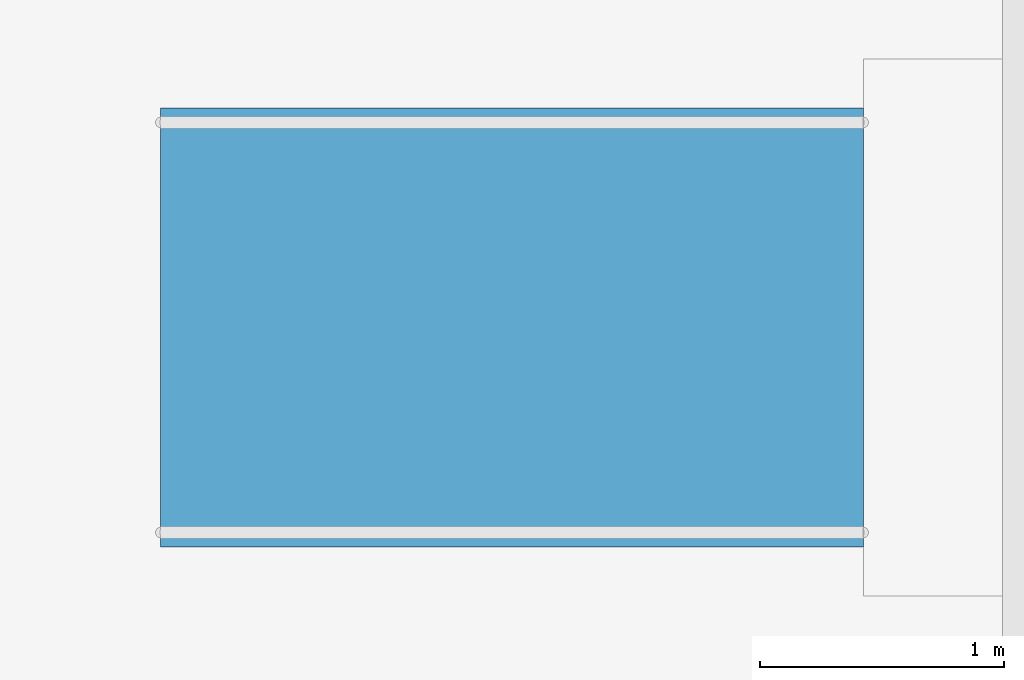
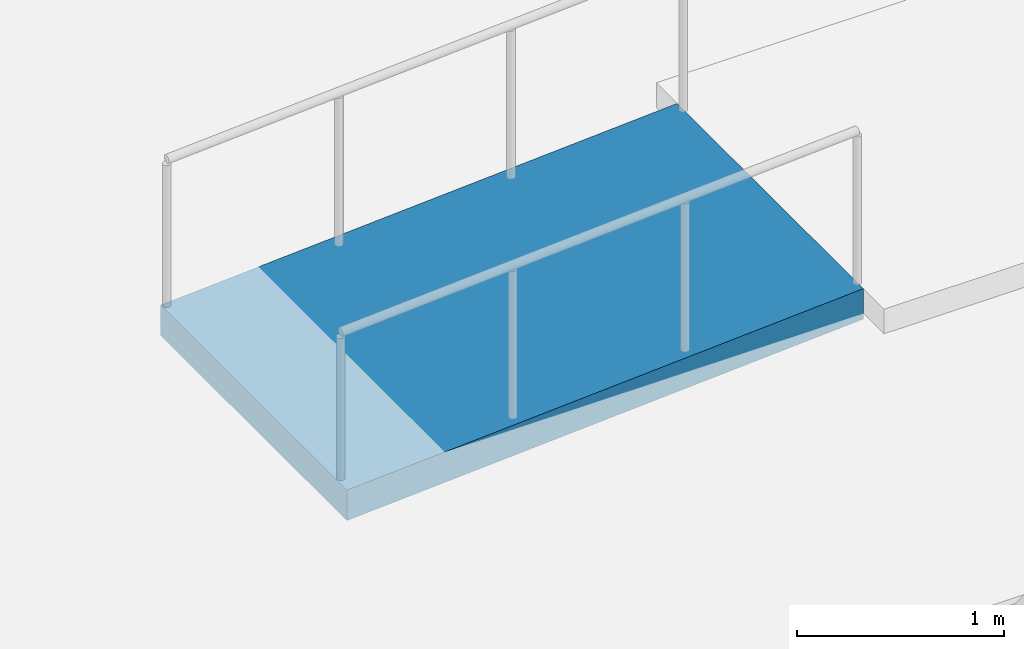
# One storey, part 49 of 74: 1 ramp flight, 1 element without a shape of its own.
"""IFC4 building model written with IfcOpenShell, lengths in metres."""

from ifc_helpers import new_model, si_unit, direction, frame, origin, place, context, subcontext, project, spatial, polyline, outline, extrude, material, layer, layer_set, type_object, element, aggregate, save


model = new_model("IFC4")

# Units and contexts
model_context = context("Model", 3, precision=1e-05, world=origin(), true_north=direction((0.0, 1.0)))
body_context = subcontext(model_context, "Body", "Model", "MODEL_VIEW")
ifc_project = project(units=[si_unit("LENGTHUNIT", "METRE"), si_unit("AREAUNIT", "SQUARE_METRE"), si_unit("VOLUMEUNIT", "CUBIC_METRE"), si_unit("PLANEANGLEUNIT", "RADIAN"), si_unit("MASSUNIT", "GRAM", prefix="KILO")], contexts=[model_context])

# Site, building, storey
site_placement = place(None, origin())
site = spatial("IfcSite", under=ifc_project, at=site_placement, CompositionType="ELEMENT")
building_placement = place(site_placement, origin())
building = spatial("IfcBuilding", under=site, at=building_placement, Name="Sillaruma Civic Art Gallery", CompositionType="ELEMENT")
storey_placement = place(building_placement, frame((0.0, 0.0, 5.43994140625)))
storey = spatial("IfcBuildingStorey", under=building, at=storey_placement, Name="L01", CompositionType="ELEMENT", Elevation=5.43994140625)

# Ramp, ramp flight
ifc_material = material(Name="Concrete H35 (35 MPa)", Category="concrete")
ramp_type = type_object("IfcRampType", Name="RMP-ACC-01", PredefinedType="STRAIGHT_RUN_RAMP", material=ifc_material)
ramp_placement = place(storey_placement, origin())
ramp = element("IfcRamp", 1, at=ramp_placement, inside=storey, type_object=ramp_type, Name="Podium Gallery Plinth Accessible Ramp RMP-G01", PredefinedType="STRAIGHT_RUN_RAMP")
ifc_layer = layer(ifc_material, 0.179931640625, Name="Concrete H35 (35 MPa)")
ifc_layer_set = layer_set([ifc_layer], Name="Concrete H35 (35 MPa)")
ramp_flight_type = type_object("IfcRampFlightType", Name="RMP-FLT-01", PredefinedType="STRAIGHT", material=ifc_layer_set)
ramp_flight_placement = place(storey_placement, frame((15.0, 83.0, 0.0), z_axis=(0.0, 0.0, 1.0), x_axis=(1.0, 0.0, 0.0)))
ramp_flight = element("IfcRampFlight", 2, at=ramp_flight_placement, type_object=ramp_flight_type, Name="Podium Gallery Plinth Accessible Ramp RMP-G01 Flight", PredefinedType="STRAIGHT", context=body_context, shape_type="SweptSolid", body=[
    extrude(outline(polyline([(0.0, 0.0), (2.8798828125, 0.179931640625), (2.8798828125, 0.0), (0.0, -0.179931640625), (0.0, 0.0)])), frame((0.0, 0.89990234375, 0.0), z_axis=(0.0, -1.0, 0.0), x_axis=(1.0, 0.0, 0.0)), (0.0, 0.0, 1.0), 1.800048828125),
])
aggregate(ramp, [ramp_flight])

save(model, "model.ifc")
